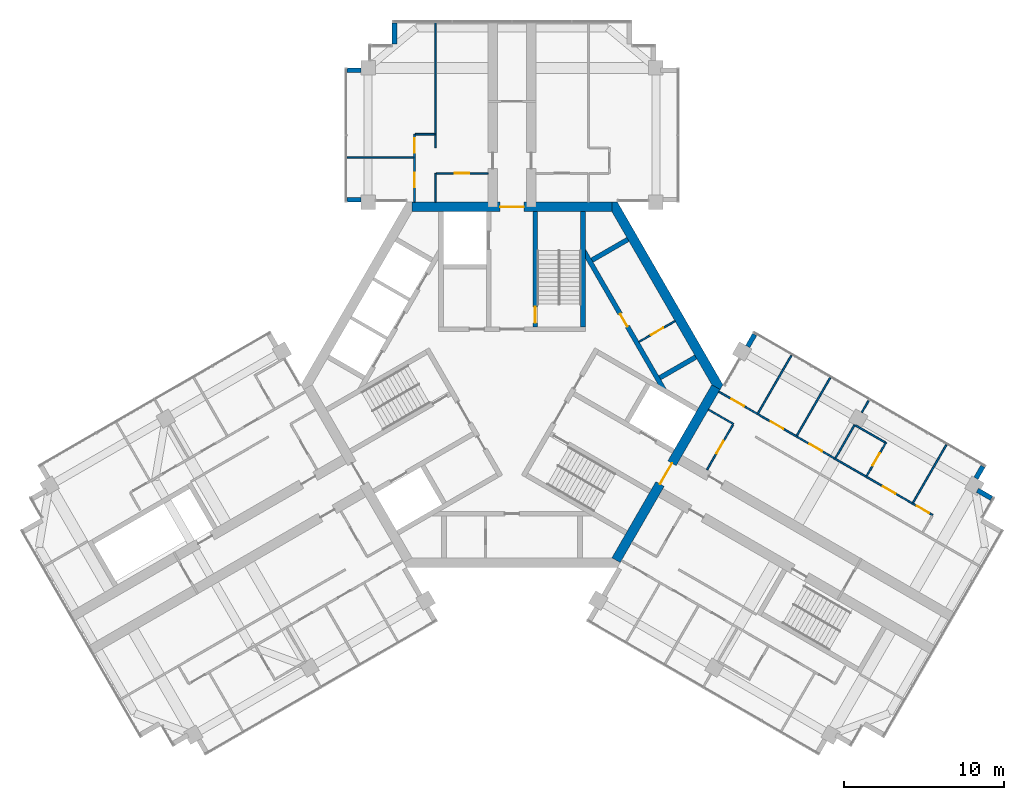
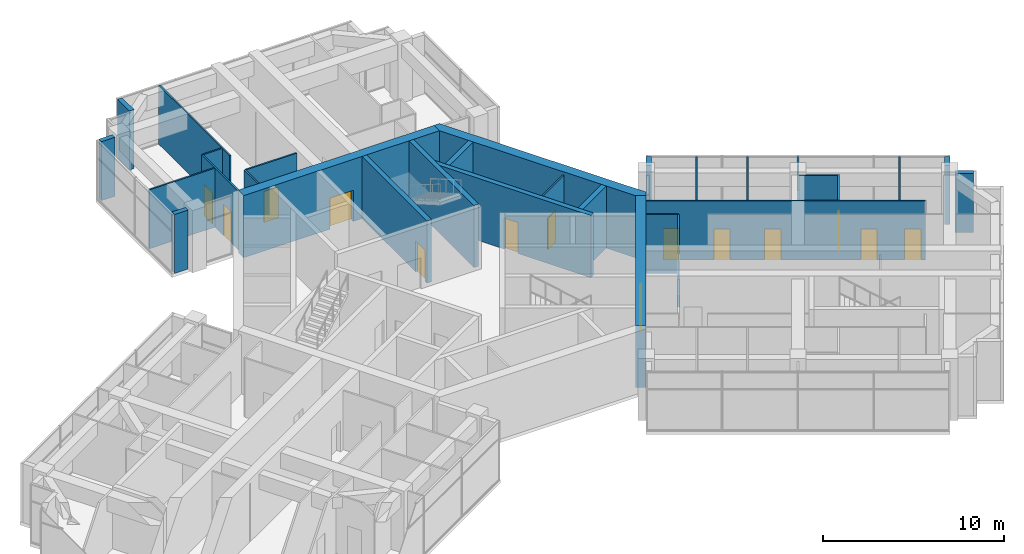
# One storey, part 12 of 14: 31 walls, 15 doors, 15 openings.
"""IFC4 building model written with IfcOpenShell, lengths in metres."""

from ifc_helpers import new_model, si_unit, direction, frame, frame_2d, origin, place, context, subcontext, project, spatial, polyline, rectangle, outline, extrude, material, layer, layer_set, type_object, element, fill, save


model = new_model("IFC4")

# Units and contexts
model_context = context("Model", 3, precision=1e-05, world=origin(), true_north=direction((0.0, 1.0)))
body_context = subcontext(model_context, "Body", "Model", "MODEL_VIEW")
ifc_project = project(units=[si_unit("LENGTHUNIT", "METRE"), si_unit("AREAUNIT", "SQUARE_METRE"), si_unit("VOLUMEUNIT", "CUBIC_METRE"), si_unit("PLANEANGLEUNIT", "RADIAN"), si_unit("MASSUNIT", "GRAM", prefix="KILO")], contexts=[model_context])

# Site, building, storey
site_placement = place(None, origin())
site = spatial("IfcSite", under=ifc_project, at=site_placement, CompositionType="ELEMENT")
building_placement = place(site_placement, origin())
building = spatial("IfcBuilding", under=site, at=building_placement, Name="Impinga Residences", CompositionType="ELEMENT")
storey_placement = place(building_placement, frame((0.0, 0.0, 278.949951171875)))
storey = spatial("IfcBuildingStorey", under=building, at=storey_placement, Name="L70", CompositionType="ELEMENT", Elevation=278.949951171875)

# Wall, opening, door
ifc_material_1 = material(Name="Concrete blockwork", Category="masonry")
ifc_layer_1 = layer(ifc_material_1, 0.10009765625)
ifc_layer_set_1 = layer_set([ifc_layer_1], Name="CP1 core room partition, blockwork 100")
wall_type_1 = type_object("IfcWallType", Name="CP1 core room partition, blockwork 100", PredefinedType="PARTITIONING", material=ifc_layer_set_1)
wall_1_placement = place(storey_placement, frame((7.95361328125, 2.686767578125, 0.0), z_axis=(0.0, 0.0, 1.0), x_axis=(0.866021400173, 0.500006934395, 0.0)))
wall_1 = element("IfcWall", 1, at=wall_1_placement, inside=storey, type_object=wall_type_1, Name="Core room partition, blockwork L70:CORE:mid:ZP1", PredefinedType="PARTITIONING", context=body_context, shape_type="SweptSolid", body=[
    extrude(rectangle(XDim=2.60009765625, YDim=0.10009765625, at=frame_2d((1.300048828125, 0.0))), origin(), (0.0, 0.0, 1.0), 3.97998046875),
])
opening_1_placement = place(wall_1_placement, frame((0.85009765625, 0.0, 0.0)))
opening_1 = element("IfcOpeningElement", 2, at=opening_1_placement, cuts=wall_1, Name="Opening D6", PredefinedType="OPENING", context=body_context, shape_type="SweptSolid", body=[
    extrude(rectangle(XDim=0.89990234375, YDim=2.10009765625, at=frame_2d((0.449951171875, 1.050048828125))), frame((0.0, 0.06005859375, 0.0), z_axis=(0.0, -1.0, 0.0), x_axis=(1.0, 0.0, 0.0)), (0.0, 0.0, 1.0), 0.1201171875),
])
ifc_material_2 = material(Name="Timber door set", Category="wood")
door_type_1 = type_object("IfcDoorType", Name="D6 riser and store door 900x2100", OperationType="SINGLE_SWING_LEFT", PredefinedType="DOOR", material=ifc_material_2)
door_1_placement = place(opening_1_placement, origin())
door_1 = element("IfcDoor", 3, at=door_1_placement, inside=storey, type_object=door_type_1, Name="Linen store door", OperationType="SINGLE_SWING_LEFT", OverallHeight=2.10009765625, OverallWidth=0.89990234375, PredefinedType="DOOR", context=body_context, shape_type="SweptSolid", body=[
    extrude(rectangle(XDim=0.89990234375, YDim=2.10009765625, at=frame_2d((0.449951171875, 1.050048828125))), frame((0.0, 0.02490234375, 0.0), z_axis=(0.0, -1.0, 0.0), x_axis=(1.0, 0.0, 0.0)), (0.0, 0.0, 1.0), 0.050048828125),
])
fill(opening_1, door_1)

# Walls
ifc_material_3 = material(Name="Stone facing on blockwork", Category="masonry")
ifc_layer_2 = layer(ifc_material_3, 0.300048828125)
ifc_layer_set_2 = layer_set([ifc_layer_2], Name="EW2 external wall, stone facing on blockwork 300")
wall_type_2 = type_object("IfcWallType", Name="EW2 external wall, stone facing on blockwork 300", PredefinedType="SOLIDWALL", material=ifc_layer_set_2)
for number, where, z_axis, x_axis, name in (
    (4, (-9.452880859375, 11.58154296875, 0.0), (0.0, 0.0, 1.0), (-1.0, 0.0, 0.0), "External wall EW2 L70"),
    (5, (-10.31494140625, 19.681640625, 0.0), (0.0, 0.0, 1.0), (1.0, 0.0, 0.0), "External wall EW2 L70"),
):
    element("IfcWall", number, at=place(storey_placement, frame(where, z_axis=z_axis, x_axis=x_axis)), inside=storey, type_object=wall_type_2, Name=name, PredefinedType="SOLIDWALL", context=body_context, shape_type="SweptSolid", body=[
        extrude(rectangle(XDim=0.862060546875, YDim=0.300048828125, at=frame_2d((0.43115234375, 0.0))), origin(), (0.0, 0.0, 1.0), 3.97998046875),
    ])
wall_2_placement = place(storey_placement, frame((-7.35009765625, 21.316650390625, 0.0), z_axis=(0.0, 0.0, 1.0), x_axis=(0.0, 1.0, 0.0)))
element("IfcWall", 6, at=wall_2_placement, inside=storey, type_object=wall_type_2, Name="External wall EW2 L70", PredefinedType="SOLIDWALL", context=body_context, shape_type="SweptSolid", body=[
    extrude(rectangle(XDim=1.329833984375, YDim=0.300048828125, at=frame_2d((0.6650390625, 0.0))), origin(), (0.0, 0.0, 1.0), 3.97998046875),
])
for number, where, z_axis, x_axis, name in (
    (7, (14.75634765625, 2.395751953125, 0.0), (0.0, 0.0, 1.0), (0.500098305348, 0.865968639725, 0.0), "External wall EW2 L70"),
    (8, (29.476806640625, -5.107666015625, 0.0), (0.0, 0.0, 1.0), (-0.499885902046, -0.866091268248, 0.0), "External wall EW2 L70"),
):
    element("IfcWall", number, at=place(storey_placement, frame(where, z_axis=z_axis, x_axis=x_axis)), inside=storey, type_object=wall_type_2, Name=name, PredefinedType="SOLIDWALL", context=body_context, shape_type="SweptSolid", body=[
        extrude(rectangle(XDim=0.862060546875, YDim=0.300048828125, at=frame_2d((0.43115234375, 0.0))), origin(), (0.0, 0.0, 1.0), 3.97998046875),
    ])
wall_3_placement = place(storey_placement, frame((29.134033203125, -6.6015625, 0.0), z_axis=(0.0, 0.0, 1.0), x_axis=(0.866073420066, -0.499916824138, 0.0)))
element("IfcWall", 9, at=wall_3_placement, inside=storey, type_object=wall_type_2, Name="External wall EW2 L70", PredefinedType="SOLIDWALL", context=body_context, shape_type="SweptSolid", body=[
    extrude(rectangle(XDim=1.014892578125, YDim=0.300048828125, at=frame_2d((0.50732421875, 0.0))), origin(), (0.0, 0.0, 1.0), 3.97998046875),
])
ifc_material_4 = material(Name="Gypsum board on steel studs", Category="steel")
ifc_layer_3 = layer(ifc_material_4, 0.10009765625)
ifc_layer_set_3 = layer_set([ifc_layer_3], Name="Gypsum board on steel studs")
wall_type_3 = type_object("IfcWallType", Name="IP1 partition 100", PredefinedType="PARTITIONING", material=ifc_layer_set_3)
wall_4_placement = place(storey_placement, frame((-4.800048828125, 11.431640625, 0.0), z_axis=(0.0, 0.0, 1.0), x_axis=(0.0, 1.0, 0.0)))
element("IfcWall", 10, at=wall_4_placement, inside=storey, type_object=wall_type_3, Name="Partition L70-NA1:DIV0", PredefinedType="PARTITIONING", context=body_context, shape_type="SweptSolid", body=[
    extrude(rectangle(XDim=1.7998046875, YDim=0.10009765625, at=frame_2d((0.89990234375, 0.0))), origin(), (0.0, 0.0, 1.0), 3.97998046875),
])
wall_5_placement = place(storey_placement, frame((-4.800048828125, 14.83154296875, 0.0), z_axis=(0.0, 0.0, 1.0), x_axis=(0.0, 1.0, 0.0)))
element("IfcWall", 11, at=wall_5_placement, inside=storey, type_object=wall_type_3, Name="Partition L70-NA1:DIV1", PredefinedType="PARTITIONING", context=body_context, shape_type="SweptSolid", body=[
    extrude(rectangle(XDim=7.8369140625, YDim=0.10009765625, at=frame_2d((3.91845703125, 0.0))), origin(), (0.0, 0.0, 1.0), 3.97998046875),
])

# Wall, openings, doors
wall_6_placement = place(storey_placement, frame((-6.10009765625, 11.431640625, 0.0), z_axis=(0.0, 0.0, 1.0), x_axis=(0.0, 1.0, 0.0)))
wall_6 = element("IfcWall", 12, at=wall_6_placement, inside=storey, type_object=wall_type_3, Name="Partition L70-NA1:STRIP", PredefinedType="PARTITIONING", context=body_context, shape_type="SweptSolid", body=[
    extrude(rectangle(XDim=4.25, YDim=0.10009765625, at=frame_2d((2.125, 0.0))), origin(), (0.0, 0.0, 1.0), 3.97998046875),
])
opening_2_placement = place(wall_6_placement, frame((0.925048828125, 0.0, 0.0)))
opening_2 = element("IfcOpeningElement", 13, at=opening_2_placement, cuts=wall_6, Name="Opening D2", PredefinedType="OPENING", context=body_context, shape_type="SweptSolid", body=[
    extrude(rectangle(XDim=0.89990234375, YDim=2.10009765625, at=frame_2d((0.449951171875, 1.050048828125))), frame((0.0, 0.06005859375, 0.0), z_axis=(0.0, -1.0, 0.0), x_axis=(1.0, 0.0, 0.0)), (0.0, 0.0, 1.0), 0.1201171875),
])
opening_3_placement = place(wall_6_placement, frame((3.10009765625, 0.0, 0.0)))
opening_3 = element("IfcOpeningElement", 14, at=opening_3_placement, cuts=wall_6, Name="Opening D2", PredefinedType="OPENING", context=body_context, shape_type="SweptSolid", body=[
    extrude(rectangle(XDim=0.89990234375, YDim=2.10009765625, at=frame_2d((0.449951171875, 1.050048828125))), frame((0.0, 0.06005859375, 0.0), z_axis=(0.0, -1.0, 0.0), x_axis=(1.0, 0.0, 0.0)), (0.0, 0.0, 1.0), 0.1201171875),
])
door_type_2 = type_object("IfcDoorType", Name="D2 internal door 900x2100", OperationType="SINGLE_SWING_LEFT", PredefinedType="DOOR", material=ifc_material_2)
door_2_placement = place(opening_2_placement, origin())
door_2 = element("IfcDoor", 15, at=door_2_placement, inside=storey, type_object=door_type_2, Name="Apartment L70-NA1 room door", OperationType="SINGLE_SWING_LEFT", OverallHeight=2.10009765625, OverallWidth=0.89990234375, PredefinedType="DOOR", context=body_context, shape_type="SweptSolid", body=[
    extrude(rectangle(XDim=0.89990234375, YDim=2.10009765625, at=frame_2d((0.449951171875, 1.050048828125))), frame((0.0, 0.02490234375, 0.0), z_axis=(0.0, -1.0, 0.0), x_axis=(1.0, 0.0, 0.0)), (0.0, 0.0, 1.0), 0.050048828125),
])
fill(opening_2, door_2)
door_3_placement = place(opening_3_placement, origin())
door_3 = element("IfcDoor", 16, at=door_3_placement, inside=storey, type_object=door_type_2, Name="Apartment L70-NA1 room door", OperationType="SINGLE_SWING_RIGHT", OverallHeight=2.10009765625, OverallWidth=0.89990234375, PredefinedType="DOOR", context=body_context, shape_type="SweptSolid", body=[
    extrude(rectangle(XDim=0.89990234375, YDim=2.10009765625, at=frame_2d((0.449951171875, 1.050048828125))), frame((0.0, 0.02490234375, 0.0), z_axis=(0.0, -1.0, 0.0), x_axis=(1.0, 0.0, 0.0)), (0.0, 0.0, 1.0), 0.050048828125),
])
fill(opening_3, door_3)

# Wall
wall_7_placement = place(storey_placement, frame((-4.85009765625, 15.681640625, 0.0), z_axis=(0.0, 0.0, 1.0), x_axis=(-1.0, 0.0, 0.0)))
element("IfcWall", 17, at=wall_7_placement, inside=storey, type_object=wall_type_3, Name="Partition L70-NA1:SE1", PredefinedType="PARTITIONING", context=body_context, shape_type="SweptSolid", body=[
    extrude(rectangle(XDim=1.199951171875, YDim=0.10009765625, at=frame_2d((0.60009765625, 0.0))), origin(), (0.0, 0.0, 1.0), 3.97998046875),
])

# Wall, opening, door
wall_8_placement = place(storey_placement, frame((-1.5, 13.2314453125, 0.0), z_axis=(0.0, 0.0, 1.0), x_axis=(-1.0, 0.0, 0.0)))
wall_8 = element("IfcWall", 18, at=wall_8_placement, inside=storey, type_object=wall_type_3, Name="Partition L70-NA1:IB1", PredefinedType="PARTITIONING", context=body_context, shape_type="SweptSolid", body=[
    extrude(rectangle(XDim=3.25, YDim=0.10009765625, at=frame_2d((1.625, 0.0))), origin(), (0.0, 0.0, 1.0), 3.97998046875),
])
opening_4_placement = place(wall_8_placement, frame((1.175048828125, 0.0, 0.0)))
opening_4 = element("IfcOpeningElement", 19, at=opening_4_placement, cuts=wall_8, Name="Opening D2", PredefinedType="OPENING", context=body_context, shape_type="SweptSolid", body=[
    extrude(rectangle(XDim=0.89990234375, YDim=2.10009765625, at=frame_2d((0.449951171875, 1.050048828125))), frame((0.0, 0.06005859375, 0.0), z_axis=(0.0, -1.0, 0.0), x_axis=(1.0, 0.0, 0.0)), (0.0, 0.0, 1.0), 0.1201171875),
])
door_4_placement = place(opening_4_placement, origin())
door_4 = element("IfcDoor", 20, at=door_4_placement, inside=storey, type_object=door_type_2, Name="Apartment L70-NA1 bathroom door", OperationType="SINGLE_SWING_LEFT", OverallHeight=2.10009765625, OverallWidth=0.89990234375, PredefinedType="DOOR", context=body_context, shape_type="SweptSolid", body=[
    extrude(rectangle(XDim=0.89990234375, YDim=2.10009765625, at=frame_2d((0.449951171875, 1.050048828125))), frame((0.0, 0.02490234375, 0.0), z_axis=(0.0, -1.0, 0.0), x_axis=(1.0, 0.0, 0.0)), (0.0, 0.0, 1.0), 0.050048828125),
])
fill(opening_4, door_4)

# Walls
wall_9_placement = place(storey_placement, frame((-6.14990234375, 14.2314453125, 0.0), z_axis=(0.0, 0.0, 1.0), x_axis=(-1.0, 0.0, 0.0)))
element("IfcWall", 21, at=wall_9_placement, inside=storey, type_object=wall_type_3, Name="Partition L70-NA1:OB1", PredefinedType="PARTITIONING", context=body_context, shape_type="SweptSolid", body=[
    extrude(rectangle(XDim=4.18701171875, YDim=0.10009765625, at=frame_2d((2.093505859375, 0.0))), origin(), (0.0, 0.0, 1.0), 3.97998046875),
])
wall_10_placement = place(storey_placement, frame((12.300048828125, -1.558837890625, 0.0), z_axis=(0.0, 0.0, 1.0), x_axis=(0.866047807691, -0.499961193289, 0.0)))
element("IfcWall", 22, at=wall_10_placement, inside=storey, type_object=wall_type_3, Name="Partition L70-EA1:DIV0", PredefinedType="PARTITIONING", context=body_context, shape_type="SweptSolid", body=[
    extrude(rectangle(XDim=1.800048828125, YDim=0.10009765625, at=frame_2d((0.89990234375, 0.0))), origin(), (0.0, 0.0, 1.0), 3.97998046875),
])

# Wall, openings, doors
wall_11_placement = place(storey_placement, frame((12.949951171875, -0.43310546875, 0.0), z_axis=(0.0, 0.0, 1.0), x_axis=(0.866030066916, -0.499991923133, 0.0)))
wall_11 = element("IfcWall", 23, at=wall_11_placement, inside=storey, type_object=wall_type_3, Name="Partition L70-EA1:STRIP", PredefinedType="PARTITIONING", context=body_context, shape_type="SweptSolid", body=[
    extrude(rectangle(XDim=15.449951171875, YDim=0.10009765625, at=frame_2d((7.72509765625, 0.0))), origin(), (0.0, 0.0, 1.0), 3.97998046875),
])
opening_5_placement = place(wall_11_placement, frame((0.925048828125, 0.0, 0.0)))
opening_5 = element("IfcOpeningElement", 24, at=opening_5_placement, cuts=wall_11, Name="Opening D2", PredefinedType="OPENING", context=body_context, shape_type="SweptSolid", body=[
    extrude(rectangle(XDim=0.89990234375, YDim=2.10009765625, at=frame_2d((0.449951171875, 1.050048828125))), frame((0.0, 0.06005859375, 0.0), z_axis=(0.0, -1.0, 0.0), x_axis=(1.0, 0.0, 0.0)), (0.0, 0.0, 1.0), 0.1201171875),
])
opening_6_placement = place(wall_11_placement, frame((3.75, 0.0, 0.0)))
opening_6 = element("IfcOpeningElement", 25, at=opening_6_placement, cuts=wall_11, Name="Opening D2", PredefinedType="OPENING", context=body_context, shape_type="SweptSolid", body=[
    extrude(rectangle(XDim=0.89990234375, YDim=2.10009765625, at=frame_2d((0.449951171875, 1.050048828125))), frame((0.0, 0.06005859375, 0.0), z_axis=(0.0, -1.0, 0.0), x_axis=(1.0, 0.0, 0.0)), (0.0, 0.0, 1.0), 0.1201171875),
])
opening_7_placement = place(wall_11_placement, frame((6.550048828125, 0.0, 0.0)))
opening_7 = element("IfcOpeningElement", 26, at=opening_7_placement, cuts=wall_11, Name="Opening D2", PredefinedType="OPENING", context=body_context, shape_type="SweptSolid", body=[
    extrude(rectangle(XDim=0.89990234375, YDim=2.10009765625, at=frame_2d((0.449951171875, 1.050048828125))), frame((0.0, 0.06005859375, 0.0), z_axis=(0.0, -1.0, 0.0), x_axis=(1.0, 0.0, 0.0)), (0.0, 0.0, 1.0), 0.1201171875),
])
opening_8_placement = place(wall_11_placement, frame((11.875, 0.0, 0.0)))
opening_8 = element("IfcOpeningElement", 27, at=opening_8_placement, cuts=wall_11, Name="Opening D2", PredefinedType="OPENING", context=body_context, shape_type="SweptSolid", body=[
    extrude(rectangle(XDim=0.89990234375, YDim=2.10009765625, at=frame_2d((0.449951171875, 1.050048828125))), frame((0.0, 0.06005859375, 0.0), z_axis=(0.0, -1.0, 0.0), x_axis=(1.0, 0.0, 0.0)), (0.0, 0.0, 1.0), 0.1201171875),
])
opening_9_placement = place(wall_11_placement, frame((14.300048828125, 0.0, 0.0)))
opening_9 = element("IfcOpeningElement", 28, at=opening_9_placement, cuts=wall_11, Name="Opening D2", PredefinedType="OPENING", context=body_context, shape_type="SweptSolid", body=[
    extrude(rectangle(XDim=0.89990234375, YDim=2.10009765625, at=frame_2d((0.449951171875, 1.050048828125))), frame((0.0, 0.06005859375, 0.0), z_axis=(0.0, -1.0, 0.0), x_axis=(1.0, 0.0, 0.0)), (0.0, 0.0, 1.0), 0.1201171875),
])
door_5_placement = place(opening_5_placement, origin())
door_5 = element("IfcDoor", 29, at=door_5_placement, inside=storey, type_object=door_type_2, Name="Apartment L70-EA1 room door", OperationType="SINGLE_SWING_LEFT", OverallHeight=2.10009765625, OverallWidth=0.89990234375, PredefinedType="DOOR", context=body_context, shape_type="SweptSolid", body=[
    extrude(rectangle(XDim=0.89990234375, YDim=2.10009765625, at=frame_2d((0.449951171875, 1.050048828125))), frame((0.0, 0.02490234375, 0.0), z_axis=(0.0, -1.0, 0.0), x_axis=(1.0, 0.0, 0.0)), (0.0, 0.0, 1.0), 0.050048828125),
])
fill(opening_5, door_5)
door_6_placement = place(opening_6_placement, origin())
door_6 = element("IfcDoor", 30, at=door_6_placement, inside=storey, type_object=door_type_2, Name="Apartment L70-EA1 room door", OperationType="SINGLE_SWING_LEFT", OverallHeight=2.10009765625, OverallWidth=0.89990234375, PredefinedType="DOOR", context=body_context, shape_type="SweptSolid", body=[
    extrude(rectangle(XDim=0.89990234375, YDim=2.10009765625, at=frame_2d((0.449951171875, 1.050048828125))), frame((0.0, 0.02490234375, 0.0), z_axis=(0.0, -1.0, 0.0), x_axis=(1.0, 0.0, 0.0)), (0.0, 0.0, 1.0), 0.050048828125),
])
fill(opening_6, door_6)
door_7_placement = place(opening_7_placement, origin())
door_7 = element("IfcDoor", 31, at=door_7_placement, inside=storey, type_object=door_type_2, Name="Apartment L70-EA1 room door", OperationType="SINGLE_SWING_LEFT", OverallHeight=2.10009765625, OverallWidth=0.89990234375, PredefinedType="DOOR", context=body_context, shape_type="SweptSolid", body=[
    extrude(rectangle(XDim=0.89990234375, YDim=2.10009765625, at=frame_2d((0.449951171875, 1.050048828125))), frame((0.0, 0.02490234375, 0.0), z_axis=(0.0, -1.0, 0.0), x_axis=(1.0, 0.0, 0.0)), (0.0, 0.0, 1.0), 0.050048828125),
])
fill(opening_7, door_7)
door_8_placement = place(opening_8_placement, origin())
door_8 = element("IfcDoor", 32, at=door_8_placement, inside=storey, type_object=door_type_2, Name="Apartment L70-EA1 room door", OperationType="SINGLE_SWING_RIGHT", OverallHeight=2.10009765625, OverallWidth=0.89990234375, PredefinedType="DOOR", context=body_context, shape_type="SweptSolid", body=[
    extrude(rectangle(XDim=0.89990234375, YDim=2.10009765625, at=frame_2d((0.449951171875, 1.050048828125))), frame((0.0, 0.02490234375, 0.0), z_axis=(0.0, -1.0, 0.0), x_axis=(1.0, 0.0, 0.0)), (0.0, 0.0, 1.0), 0.050048828125),
])
fill(opening_8, door_8)
door_9_placement = place(opening_9_placement, origin())
door_9 = element("IfcDoor", 33, at=door_9_placement, inside=storey, type_object=door_type_2, Name="Apartment L70-EA1 room door", OperationType="SINGLE_SWING_RIGHT", OverallHeight=2.10009765625, OverallWidth=0.89990234375, PredefinedType="DOOR", context=body_context, shape_type="SweptSolid", body=[
    extrude(rectangle(XDim=0.89990234375, YDim=2.10009765625, at=frame_2d((0.449951171875, 1.050048828125))), frame((0.0, 0.02490234375, 0.0), z_axis=(0.0, -1.0, 0.0), x_axis=(1.0, 0.0, 0.0)), (0.0, 0.0, 1.0), 0.050048828125),
])
fill(opening_9, door_9)

# Wall, opening, door
wall_12_placement = place(storey_placement, frame((12.208740234375, -5.316650390625, 0.0), z_axis=(0.0, 0.0, 1.0), x_axis=(0.500017246033, 0.866015446554, 0.0)))
wall_12 = element("IfcWall", 34, at=wall_12_placement, inside=storey, type_object=wall_type_3, Name="Partition L70-EA1:IB1", PredefinedType="PARTITIONING", context=body_context, shape_type="SweptSolid", body=[
    extrude(rectangle(XDim=3.25, YDim=0.10009765625, at=frame_2d((1.625, 0.0))), origin(), (0.0, 0.0, 1.0), 3.97998046875),
])
opening_10_placement = place(wall_12_placement, frame((1.175048828125, 0.0, 0.0)))
opening_10 = element("IfcOpeningElement", 35, at=opening_10_placement, cuts=wall_12, Name="Opening D2", PredefinedType="OPENING", context=body_context, shape_type="SweptSolid", body=[
    extrude(rectangle(XDim=0.89990234375, YDim=2.10009765625, at=frame_2d((0.449951171875, 1.050048828125))), frame((0.0, 0.06005859375, 0.0), z_axis=(0.0, -1.0, 0.0), x_axis=(1.0, 0.0, 0.0)), (0.0, 0.0, 1.0), 0.1201171875),
])
door_10_placement = place(opening_10_placement, origin())
door_10 = element("IfcDoor", 36, at=door_10_placement, inside=storey, type_object=door_type_2, Name="Apartment L70-EA1 bathroom door", OperationType="SINGLE_SWING_LEFT", OverallHeight=2.10009765625, OverallWidth=0.89990234375, PredefinedType="DOOR", context=body_context, shape_type="SweptSolid", body=[
    extrude(rectangle(XDim=0.89990234375, YDim=2.10009765625, at=frame_2d((0.449951171875, 1.050048828125))), frame((0.0, 0.02490234375, 0.0), z_axis=(0.0, -1.0, 0.0), x_axis=(1.0, 0.0, 0.0)), (0.0, 0.0, 1.0), 0.050048828125),
])
fill(opening_10, door_10)

# Walls
wall_13_placement = place(storey_placement, frame((15.39990234375, -1.789794921875, 0.0), z_axis=(0.0, 0.0, 1.0), x_axis=(0.499983227221, 0.866035087336, 0.0)))
element("IfcWall", 37, at=wall_13_placement, inside=storey, type_object=wall_type_3, Name="Partition L70-EA1:OB1", PredefinedType="PARTITIONING", context=body_context, shape_type="SweptSolid", body=[
    extrude(rectangle(XDim=4.187255859375, YDim=0.10009765625, at=frame_2d((2.09375, 0.0))), origin(), (0.0, 0.0, 1.0), 3.97998046875),
])
wall_14_placement = place(storey_placement, frame((17.82470703125, -3.189697265625, 0.0), z_axis=(0.0, 0.0, 1.0), x_axis=(0.500008475426, 0.86602051044, 0.0)))
element("IfcWall", 38, at=wall_14_placement, inside=storey, type_object=wall_type_3, Name="Partition L70-EA1:OB2", PredefinedType="PARTITIONING", context=body_context, shape_type="SweptSolid", body=[
    extrude(rectangle(XDim=4.18701171875, YDim=0.10009765625, at=frame_2d((2.093505859375, 0.0))), origin(), (0.0, 0.0, 1.0), 3.97998046875),
])
wall_15_placement = place(storey_placement, frame((20.24951171875, -4.589599609375, 0.0), z_axis=(0.0, 0.0, 1.0), x_axis=(0.500077600433, 0.865980596518, 0.0)))
element("IfcWall", 39, at=wall_15_placement, inside=storey, type_object=wall_type_3, Name="Partition L70-EA1:OB3", PredefinedType="PARTITIONING", context=body_context, shape_type="SweptSolid", body=[
    extrude(rectangle(XDim=2.39990234375, YDim=0.10009765625, at=frame_2d((1.199951171875, 0.0))), origin(), (0.0, 0.0, 1.0), 2.929931640625),
])
wall_16_placement = place(storey_placement, frame((21.899658203125, -1.73193359375, 0.0), z_axis=(0.0, 0.0, 1.0), x_axis=(0.499803706212, 0.866138704398, 0.0)))
element("IfcWall", 40, at=wall_16_placement, inside=storey, type_object=wall_type_3, Name="Partition L70-EA1:OB3b", PredefinedType="PARTITIONING", context=body_context, shape_type="SweptSolid", body=[
    extrude(rectangle(XDim=0.866943359375, YDim=0.10009765625, at=frame_2d((0.43359375, 0.0))), origin(), (0.0, 0.0, 1.0), 3.97998046875),
])
wall_17_placement = place(storey_placement, frame((25.099365234375, -7.3896484375, 0.0), z_axis=(0.0, 0.0, 1.0), x_axis=(0.500008475426, 0.86602051044, 0.0)))
element("IfcWall", 41, at=wall_17_placement, inside=storey, type_object=wall_type_3, Name="Partition L70-EA1:OB4", PredefinedType="PARTITIONING", context=body_context, shape_type="SweptSolid", body=[
    extrude(rectangle(XDim=4.18701171875, YDim=0.10009765625, at=frame_2d((2.093505859375, 0.0))), origin(), (0.0, 0.0, 1.0), 3.97998046875),
])

# Wall, opening, door
wall_18_placement = place(storey_placement, frame((22.1982421875, -5.714599609375, 0.0), z_axis=(0.0, 0.0, 1.0), x_axis=(0.499987006516, 0.866032905446, 0.0)))
wall_18 = element("IfcWall", 42, at=wall_18_placement, inside=storey, type_object=wall_type_3, Name="Partition L70-EA1:EN1", PredefinedType="PARTITIONING", context=body_context, shape_type="SweptSolid", body=[
    extrude(rectangle(XDim=2.44970703125, YDim=0.10009765625, at=frame_2d((1.224853515625, 0.0))), origin(), (0.0, 0.0, 1.0), 3.97998046875),
])
opening_11_placement = place(wall_18_placement, frame((0.75, 0.0, 0.0)))
opening_11 = element("IfcOpeningElement", 43, at=opening_11_placement, cuts=wall_18, Name="Opening D2", PredefinedType="OPENING", context=body_context, shape_type="SweptSolid", body=[
    extrude(rectangle(XDim=0.89990234375, YDim=2.10009765625, at=frame_2d((0.449951171875, 1.050048828125))), frame((0.0, 0.06005859375, 0.0), z_axis=(0.0, -1.0, 0.0), x_axis=(1.0, 0.0, 0.0)), (0.0, 0.0, 1.0), 0.1201171875),
])
door_11_placement = place(opening_11_placement, origin())
door_11 = element("IfcDoor", 44, at=door_11_placement, inside=storey, type_object=door_type_2, Name="Apartment L70-EA1 en-suite door", OperationType="SINGLE_SWING_LEFT", OverallHeight=2.10009765625, OverallWidth=0.89990234375, PredefinedType="DOOR", context=body_context, shape_type="SweptSolid", body=[
    extrude(rectangle(XDim=0.89990234375, YDim=2.10009765625, at=frame_2d((0.449951171875, 1.050048828125))), frame((0.0, 0.02490234375, 0.0), z_axis=(0.0, -1.0, 0.0), x_axis=(1.0, 0.0, 0.0)), (0.0, 0.0, 1.0), 0.050048828125),
])
fill(opening_11, door_11)

# Wall
wall_19_placement = place(storey_placement, frame((21.492919921875, -2.5361328125, 0.0), z_axis=(0.0, 0.0, 1.0), x_axis=(0.865998386012, -0.500046793234, 0.0)))
element("IfcWall", 45, at=wall_19_placement, inside=storey, type_object=wall_type_3, Name="Partition L70-EA1:EN2", PredefinedType="PARTITIONING", context=body_context, shape_type="SweptSolid", body=[
    extrude(rectangle(XDim=2.150146484375, YDim=0.10009765625, at=frame_2d((1.0751953125, 0.0))), origin(), (0.0, 0.0, 1.0), 3.97998046875),
])

# Wall, opening, door
ifc_material_5 = material(Name="Concrete C60/75", Category="concrete")
ifc_layer_4 = layer(ifc_material_5, 0.60009765625)
ifc_layer_set_4 = layer_set([ifc_layer_4], Name="Concrete C60/75")
wall_type_4 = type_object("IfcWallType", Name="SW4 core wall, crown 600", PredefinedType="SHEAR", material=ifc_layer_set_4)
wall_20_placement = place(storey_placement, frame((-6.253662109375, 11.131591796875, 0.0), z_axis=(0.0, 0.0, 1.0), x_axis=(1.0, 0.0, 0.0)))
wall_20 = element("IfcWall", 46, at=wall_20_placement, inside=storey, type_object=wall_type_4, Name="Core wall SW4 N:FACE L70", PredefinedType="SHEAR", context=body_context, shape_type="SweptSolid", body=[
    extrude(rectangle(XDim=12.50732421875, YDim=0.60009765625, at=frame_2d((6.253662109375, 0.0))), origin(), (0.0, 0.0, 1.0), 4.199951171875),
])
opening_12_placement = place(wall_20_placement, frame((5.503662109375, 0.0, 0.0)))
opening_12 = element("IfcOpeningElement", 47, at=opening_12_placement, cuts=wall_20, Name="Opening D4", PredefinedType="OPENING", context=body_context, shape_type="SweptSolid", body=[
    extrude(rectangle(XDim=1.5, YDim=2.10009765625, at=frame_2d((0.75, 1.050048828125))), frame((0.0, 0.31005859375, 0.0), z_axis=(0.0, -1.0, 0.0), x_axis=(1.0, 0.0, 0.0)), (0.0, 0.0, 1.0), 0.6201171875),
])
door_type_3 = type_object("IfcDoorType", Name="D4 lobby door pair 1500x2100", OperationType="DOUBLE_DOOR_DOUBLE_SWING", PredefinedType="DOOR", material=ifc_material_2)
door_12_placement = place(opening_12_placement, origin())
door_12 = element("IfcDoor", 48, at=door_12_placement, inside=storey, type_object=door_type_3, Name="Lobby door N", OperationType="DOUBLE_DOOR_DOUBLE_SWING", OverallHeight=2.10009765625, OverallWidth=1.5, PredefinedType="DOOR", context=body_context, shape_type="SweptSolid", body=[
    extrude(rectangle(XDim=1.5, YDim=2.10009765625, at=frame_2d((0.75, 1.050048828125))), frame((0.0, 0.02490234375, 0.0), z_axis=(0.0, -1.0, 0.0), x_axis=(1.0, 0.0, 0.0)), (0.0, 0.0, 1.0), 0.050048828125),
])
fill(opening_12, door_12)

wall_21_placement = place(storey_placement, frame((12.76708984375, -0.14990234375, 0.0), z_axis=(0.0, 0.0, 1.0), x_axis=(-0.500004069281, -0.866023054371, 0.0)))
wall_21 = element("IfcWall", 49, at=wall_21_placement, inside=storey, type_object=wall_type_4, Name="Core wall SW4 E:FACE L70", PredefinedType="SHEAR", context=body_context, shape_type="SweptSolid", body=[
    extrude(rectangle(XDim=12.50732421875, YDim=0.60009765625, at=frame_2d((6.253662109375, 0.0))), origin(), (0.0, 0.0, 1.0), 4.199951171875),
])
opening_13_placement = place(wall_21_placement, frame((5.503662109375, 0.0, 0.0)))
opening_13 = element("IfcOpeningElement", 50, at=opening_13_placement, cuts=wall_21, Name="Opening D4", PredefinedType="OPENING", context=body_context, shape_type="SweptSolid", body=[
    extrude(rectangle(XDim=1.5, YDim=2.10009765625, at=frame_2d((0.75, 1.050048828125))), frame((0.0, 0.31005859375, 0.0), z_axis=(0.0, -1.0, 0.0), x_axis=(1.0, 0.0, 0.0)), (0.0, 0.0, 1.0), 0.6201171875),
])
door_13_placement = place(opening_13_placement, origin())
door_13 = element("IfcDoor", 51, at=door_13_placement, inside=storey, type_object=door_type_3, Name="Lobby door E", OperationType="DOUBLE_DOOR_DOUBLE_SWING", OverallHeight=2.10009765625, OverallWidth=1.5, PredefinedType="DOOR", context=body_context, shape_type="SweptSolid", body=[
    extrude(rectangle(XDim=1.5, YDim=2.10009765625, at=frame_2d((0.75, 1.050048828125))), frame((0.0, 0.02490234375, 0.0), z_axis=(0.0, -1.0, 0.0), x_axis=(1.0, 0.0, 0.0)), (0.0, 0.0, 1.0), 0.050048828125),
])
fill(opening_13, door_13)

# Wall
wall_22_placement = place(storey_placement, origin())
element("IfcWall", 52, at=wall_22_placement, inside=storey, type_object=wall_type_4, Name="Core wall SW4 W:EXPOSED L70", PredefinedType="SHEAR", context=body_context, shape_type="SweptSolid", body=[
    extrude(outline(polyline([(13.199951171875, 0.0), (6.60009765625, 11.431640625), (6.253662109375, 11.431640625), (6.253662109375, 10.83154296875), (12.507080078125, 0.0), (13.02685546875, -0.300048828125), (13.199951171875, 0.0)])), origin(), (0.0, 0.0, 1.0), 4.199951171875),
])

# Wall, opening, door
ifc_material_6 = material(Name="Concrete C70/85", Category="concrete")
ifc_layer_5 = layer(ifc_material_6, 0.300048828125)
ifc_layer_set_5 = layer_set([ifc_layer_5], Name="Concrete C70/85")
wall_type_5 = type_object("IfcWallType", Name="SW5 core inner wall, stairs, shafts and lobbies 300", PredefinedType="SHEAR", material=ifc_layer_set_5)
wall_23_placement = place(storey_placement, frame((1.449951171875, 3.6298828125, 0.0), z_axis=(0.0, 0.0, 1.0), x_axis=(0.0, 1.0, 0.0)))
wall_23 = element("IfcWall", 53, at=wall_23_placement, inside=storey, type_object=wall_type_5, Name="Core wall SW5 N:ST-IN L70", PredefinedType="SHEAR", context=body_context, shape_type="SweptSolid", body=[
    extrude(rectangle(XDim=7.20166015625, YDim=0.300048828125, at=frame_2d((3.600830078125, 0.0))), origin(), (0.0, 0.0, 1.0), 4.199951171875),
])
opening_14_placement = place(wall_23_placement, frame((0.25, 0.0, 0.0)))
opening_14 = element("IfcOpeningElement", 54, at=opening_14_placement, cuts=wall_23, Name="Opening D5", PredefinedType="OPENING", context=body_context, shape_type="SweptSolid", body=[
    extrude(rectangle(XDim=1.0, YDim=2.10009765625, at=frame_2d((0.5, 1.050048828125))), frame((0.0, 0.159912109375, 0.0), z_axis=(0.0, -1.0, 0.0), x_axis=(1.0, 0.0, 0.0)), (0.0, 0.0, 1.0), 0.320068359375),
])
door_type_4 = type_object("IfcDoorType", Name="D5 stair door 1000x2100", OperationType="SINGLE_SWING_LEFT", PredefinedType="DOOR", material=ifc_material_2)
door_14_placement = place(opening_14_placement, origin())
door_14 = element("IfcDoor", 55, at=door_14_placement, inside=storey, type_object=door_type_4, Name="Stair door N", OperationType="SINGLE_SWING_LEFT", OverallHeight=2.10009765625, OverallWidth=1.0, PredefinedType="DOOR", context=body_context, shape_type="SweptSolid", body=[
    extrude(rectangle(XDim=1.0, YDim=2.10009765625, at=frame_2d((0.5, 1.050048828125))), frame((0.0, 0.02490234375, 0.0), z_axis=(0.0, -1.0, 0.0), x_axis=(1.0, 0.0, 0.0)), (0.0, 0.0, 1.0), 0.050048828125),
])
fill(opening_14, door_14)

# Wall
wall_24_placement = place(storey_placement, frame((4.449951171875, 3.6298828125, 0.0), z_axis=(0.0, 0.0, 1.0), x_axis=(0.0, 1.0, 0.0)))
element("IfcWall", 56, at=wall_24_placement, inside=storey, type_object=wall_type_5, Name="Core wall SW5 N:ST-OUT L70", PredefinedType="SHEAR", context=body_context, shape_type="SweptSolid", body=[
    extrude(rectangle(XDim=7.20166015625, YDim=0.300048828125, at=frame_2d((3.600830078125, 0.0))), origin(), (0.0, 0.0, 1.0), 4.199951171875),
])

# Wall, opening, door
wall_25_placement = place(storey_placement, frame((4.449951171875, 8.455322265625, 0.0), z_axis=(0.0, 0.0, 1.0), x_axis=(0.500002290144, -0.866024081565, 0.0)))
wall_25 = element("IfcWall", 57, at=wall_25_placement, inside=storey, type_object=wall_type_5, Name="Core wall SW5 W:BANK-FRONT L70", PredefinedType="SHEAR", context=body_context, shape_type="SweptSolid", body=[
    extrude(rectangle(XDim=10.1953125, YDim=0.300048828125, at=frame_2d((5.09765625, 0.0))), origin(), (0.0, 0.0, 1.0), 4.199951171875),
])
opening_15_placement = place(wall_25_placement, frame((4.647705078125, 0.0, 0.0)))
opening_15 = element("IfcOpeningElement", 58, at=opening_15_placement, cuts=wall_25, Name="Opening D6", PredefinedType="OPENING", context=body_context, shape_type="SweptSolid", body=[
    extrude(rectangle(XDim=0.89990234375, YDim=2.10009765625, at=frame_2d((0.449951171875, 1.050048828125))), frame((0.0, 0.159912109375, 0.0), z_axis=(0.0, -1.0, 0.0), x_axis=(1.0, 0.0, 0.0)), (0.0, 0.0, 1.0), 0.320068359375),
])
door_15_placement = place(opening_15_placement, origin())
door_15 = element("IfcDoor", 59, at=door_15_placement, inside=storey, type_object=door_type_1, Name="Housekeeping store door", OperationType="SINGLE_SWING_RIGHT", OverallHeight=2.10009765625, OverallWidth=0.89990234375, PredefinedType="DOOR", context=body_context, shape_type="SweptSolid", body=[
    extrude(rectangle(XDim=0.89990234375, YDim=2.10009765625, at=frame_2d((0.449951171875, 1.050048828125))), frame((0.0, 0.02490234375, 0.0), z_axis=(0.0, -1.0, 0.0), x_axis=(1.0, 0.0, 0.0)), (0.0, 0.0, 1.0), 0.050048828125),
])
fill(opening_15, door_15)

# Walls
for number, where, z_axis, x_axis, name in (
    (60, (5.003662109375, 7.79638671875, 0.0), (0.0, 0.0, 1.0), (0.866021400173, 0.500006934395, 0.0), "Core wall SW5 W:BANK-L L70"),
    (61, (9.253662109375, 0.43505859375, 0.0), (0.0, 0.0, 1.0), (0.866021400173, 0.500006934395, 0.0), "Core wall SW5 W:BANK-R L70"),
):
    element("IfcWall", number, at=place(storey_placement, frame(where, z_axis=z_axis, x_axis=x_axis)), inside=storey, type_object=wall_type_5, Name=name, PredefinedType="SHEAR", context=body_context, shape_type="SweptSolid", body=[
        extrude(rectangle(XDim=2.60009765625, YDim=0.300048828125, at=frame_2d((1.300048828125, 0.0))), origin(), (0.0, 0.0, 1.0), 4.199951171875),
    ])

save(model, "model.ifc")
